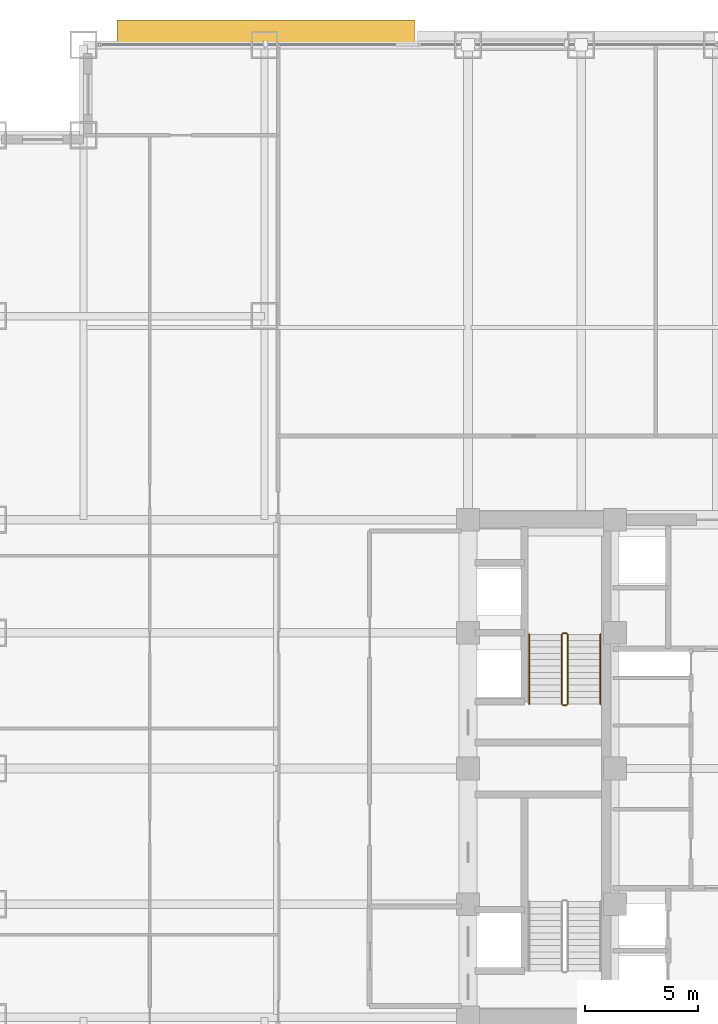
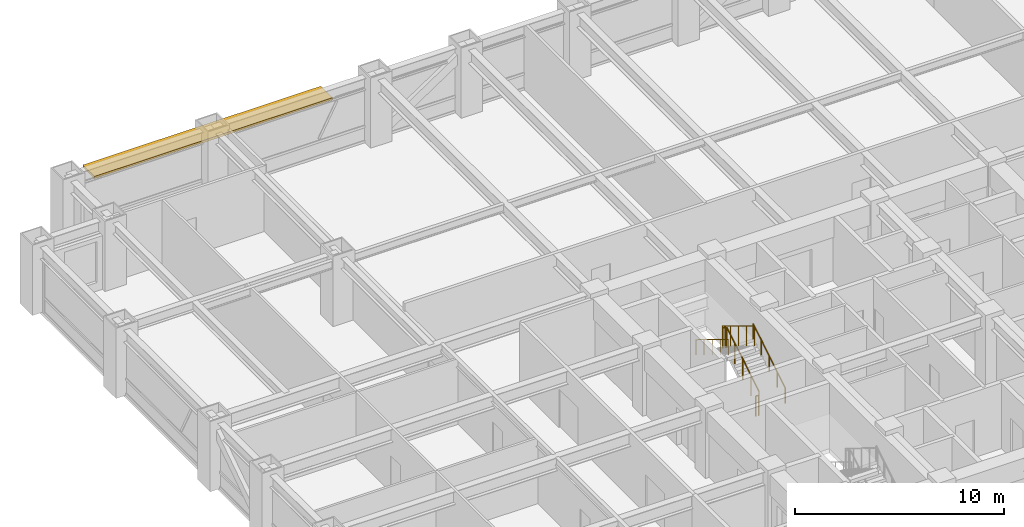
# One storey, part 31 of 32: 6 railings, 1 shading device.
"""IFC4 building model written with IfcOpenShell, lengths in metres."""

from ifc_helpers import new_model, si_unit, direction, frame, origin, origin_2d, place, context, subcontext, project, spatial, rectangle, circle, extrude, source, transform, mapped, material, layer, layer_set, type_object, element, save


model = new_model("IFC4")

# Units and contexts
model_context = context("Model", 3, precision=1e-05, world=origin(), true_north=direction((0.0, 1.0)))
body_context = subcontext(model_context, "Body", "Model", "MODEL_VIEW")
ifc_project = project(units=[si_unit("LENGTHUNIT", "METRE"), si_unit("AREAUNIT", "SQUARE_METRE"), si_unit("VOLUMEUNIT", "CUBIC_METRE"), si_unit("PLANEANGLEUNIT", "RADIAN"), si_unit("MASSUNIT", "GRAM", prefix="KILO")], contexts=[model_context])

# Site, building, storey
site_placement = place(None, origin())
site = spatial("IfcSite", under=ifc_project, at=site_placement, CompositionType="ELEMENT")
building_placement = place(site_placement, origin())
building = spatial("IfcBuilding", under=site, at=building_placement, Name="Khorayat Bourse Tower", CompositionType="ELEMENT")
storey_placement = place(building_placement, frame((0.0, 0.0, 128.300048828125)))
storey = spatial("IfcBuildingStorey", under=building, at=storey_placement, Name="L29", CompositionType="ELEMENT", Elevation=128.300048828125)

# Shading device
ifc_material_1 = material(Name="Precast concrete C45/55", Category="concrete")
ifc_layer = layer(ifc_material_1, 0.139892578125)
ifc_layer_set = layer_set([ifc_layer], Name="Precast concrete C45/55")
shading_device_type = type_object("IfcShadingDeviceType", Name="SHD-WAVE-TRAY-B", PredefinedType="USERDEFINED", material=ifc_layer_set)
shared_shape_1 = source(origin(), body_context, "Body", "SweptSolid", [
    extrude(rectangle(XDim=13.159912109375, YDim=1.115478515625, at=origin_2d()), origin(), (0.0, 0.0, 1.0), 0.139892578125),
])
shading_device_placement = place(storey_placement, frame((-19.949951171875, 32.53759765625, 3.08984375), z_axis=(0.0, 0.0, 1.0), x_axis=(1.0, 0.0, 0.0)))
element("IfcShadingDevice", 1, at=shading_device_placement, inside=storey, type_object=shading_device_type, Name="L29 Sinusoidal Wave Sunshade Tray N-1", ObjectType="SUNSHADE", PredefinedType="USERDEFINED", context=body_context, shape_type="MappedRepresentation", body=[
    mapped(shared_shape_1, transform((0.0, 0.0, 0.0), scale=1.0)),
])

# Railings
ifc_material_2 = material(Name="Powder-coated steel balustrade", Category="steel")
railing_type_1 = type_object("IfcRailingType", Name="RLG-GUARD-1200", PredefinedType="GUARDRAIL", material=ifc_material_2)
shared_shape_2 = source(origin(), body_context, "Body", "SweptSolid", [
    extrude(circle(Radius=0.02392578125, at=origin_2d()), frame((0.0, 0.0, 1.17578125), z_axis=(-1.0, 0.0, 0.0), x_axis=(0.0, -1.0, 0.0)), (0.0, 0.0, 1.0), 0.150146484375),
    extrude(circle(Radius=0.02099609375, at=origin_2d()), origin(), (0.0, 0.0, 1.0), 1.15185546875),
    extrude(circle(Radius=0.02099609375, at=origin_2d()), frame((-0.150146484375, 0.0, 0.0)), (0.0, 0.0, 1.0), 1.15185546875),
])
for number, where, name in (
    (2, (-6.64990234375, 5.97998046875, 2.050048828125), "L29 ST-2 stair guard 2"),
    (3, (-6.64990234375, 2.800048828125, 0.0), "L29 ST-2 stair guard 4"),
):
    element("IfcRailing", number, at=place(storey_placement, frame(where)), inside=storey, type_object=railing_type_1, Name=name, PredefinedType="GUARDRAIL", context=body_context, shape_type="MappedRepresentation", body=[
        mapped(shared_shape_2, transform((0.0, 0.0, 0.0), scale=1.0)),
    ])
shared_shape_3 = source(origin(), body_context, "Body", "SweptSolid", [
    extrude(circle(Radius=0.02392578125, at=origin_2d()), frame((0.0, 0.0, 1.17578125), z_axis=(0.0, 0.853647949592, 0.520850437417), x_axis=(-1.0, 0.0, 0.0)), (0.0, 0.0, 1.0), 3.60791015625),
    extrude(circle(Radius=0.02099609375, at=origin_2d()), origin(), (0.0, 0.0, 1.0), 1.15185546875),
    extrude(circle(Radius=0.02099609375, at=origin_2d()), frame((0.0, 0.77001953125, 0.4697265625)), (0.0, 0.0, 1.0), 1.15185546875),
    extrude(circle(Radius=0.02099609375, at=origin_2d()), frame((0.0, 1.5400390625, 0.939453125)), (0.0, 0.0, 1.0), 1.15185546875),
    extrude(circle(Radius=0.02099609375, at=origin_2d()), frame((0.0, 2.309814453125, 1.409423828125)), (0.0, 0.0, 1.0), 1.15185546875),
    extrude(circle(Radius=0.02099609375, at=origin_2d()), frame((0.0, 3.079833984375, 1.879150390625)), (0.0, 0.0, 1.0), 1.15185546875),
])
railing_1_placement = place(storey_placement, frame((-6.60009765625, 2.85009765625, 0.1708984375)))
element("IfcRailing", 4, at=railing_1_placement, inside=storey, type_object=railing_type_1, Name="L29 ST-2 stair guard 1", PredefinedType="GUARDRAIL", context=body_context, shape_type="MappedRepresentation", body=[
    mapped(shared_shape_3, transform((0.0, 0.0, 0.0), scale=1.0)),
])
shared_shape_4 = source(origin(), body_context, "Body", "SweptSolid", [
    extrude(circle(Radius=0.02392578125, at=origin_2d()), frame((0.0, 0.0, 1.17578125), z_axis=(0.0, -0.853647949592, 0.520850437417), x_axis=(1.0, 0.0, 0.0)), (0.0, 0.0, 1.0), 3.60791015625),
    extrude(circle(Radius=0.02099609375, at=origin_2d()), origin(), (0.0, 0.0, 1.0), 1.15185546875),
    extrude(circle(Radius=0.02099609375, at=origin_2d()), frame((0.0, -0.77001953125, 0.4697265625)), (0.0, 0.0, 1.0), 1.15185546875),
    extrude(circle(Radius=0.02099609375, at=origin_2d()), frame((0.0, -1.5400390625, 0.939453125)), (0.0, 0.0, 1.0), 1.15185546875),
    extrude(circle(Radius=0.02099609375, at=origin_2d()), frame((0.0, -2.309814453125, 1.409423828125)), (0.0, 0.0, 1.0), 1.15185546875),
    extrude(circle(Radius=0.02099609375, at=origin_2d()), frame((0.0, -3.079833984375, 1.879150390625)), (0.0, 0.0, 1.0), 1.15185546875),
])
railing_2_placement = place(storey_placement, frame((-6.85009765625, 5.929931640625, 2.220703125)))
element("IfcRailing", 5, at=railing_2_placement, inside=storey, type_object=railing_type_1, Name="L29 ST-2 stair guard 3", PredefinedType="GUARDRAIL", context=body_context, shape_type="MappedRepresentation", body=[
    mapped(shared_shape_4, transform((0.0, 0.0, 0.0), scale=1.0)),
])
ifc_material_3 = material(Name="Brushed bronze stainless-steel handrail", Category="steel")
railing_type_2 = type_object("IfcRailingType", Name="RLG-HAND-900", PredefinedType="HANDRAIL", material=ifc_material_3)
shared_shape_5 = source(origin(), body_context, "Body", "SweptSolid", [
    extrude(circle(Radius=0.02392578125, at=origin_2d()), frame((0.0, 0.0, 0.8759765625), z_axis=(0.0, 0.853647949592, 0.520850437417), x_axis=(-1.0, 0.0, 0.0)), (0.0, 0.0, 1.0), 3.60791015625),
    extrude(circle(Radius=0.02099609375, at=origin_2d()), origin(), (0.0, 0.0, 1.0), 0.851806640625),
    extrude(circle(Radius=0.02099609375, at=origin_2d()), frame((0.0, 0.77001953125, 0.4697265625)), (0.0, 0.0, 1.0), 0.851806640625),
    extrude(circle(Radius=0.02099609375, at=origin_2d()), frame((0.0, 1.5400390625, 0.939453125)), (0.0, 0.0, 1.0), 0.851806640625),
    extrude(circle(Radius=0.02099609375, at=origin_2d()), frame((0.0, 2.309814453125, 1.409423828125)), (0.0, 0.0, 1.0), 0.851806640625),
    extrude(circle(Radius=0.02099609375, at=origin_2d()), frame((0.0, 3.079833984375, 1.879150390625)), (0.0, 0.0, 1.0), 0.851806640625),
])
railing_3_placement = place(storey_placement, frame((-5.14990234375, 2.85009765625, 0.1708984375)))
element("IfcRailing", 6, at=railing_3_placement, inside=storey, type_object=railing_type_2, Name="L29 ST-2 stair handrail 1", PredefinedType="HANDRAIL", context=body_context, shape_type="MappedRepresentation", body=[
    mapped(shared_shape_5, transform((0.0, 0.0, 0.0), scale=1.0)),
])
shared_shape_6 = source(origin(), body_context, "Body", "SweptSolid", [
    extrude(circle(Radius=0.02392578125, at=origin_2d()), frame((0.0, 0.0, 0.8759765625), z_axis=(0.0, -0.853647949592, 0.520850437417), x_axis=(1.0, 0.0, 0.0)), (0.0, 0.0, 1.0), 3.60791015625),
    extrude(circle(Radius=0.02099609375, at=origin_2d()), origin(), (0.0, 0.0, 1.0), 0.851806640625),
    extrude(circle(Radius=0.02099609375, at=origin_2d()), frame((0.0, -0.77001953125, 0.4697265625)), (0.0, 0.0, 1.0), 0.851806640625),
    extrude(circle(Radius=0.02099609375, at=origin_2d()), frame((0.0, -1.5400390625, 0.939453125)), (0.0, 0.0, 1.0), 0.851806640625),
    extrude(circle(Radius=0.02099609375, at=origin_2d()), frame((0.0, -2.309814453125, 1.409423828125)), (0.0, 0.0, 1.0), 0.851806640625),
    extrude(circle(Radius=0.02099609375, at=origin_2d()), frame((0.0, -3.079833984375, 1.879150390625)), (0.0, 0.0, 1.0), 0.851806640625),
])
railing_4_placement = place(storey_placement, frame((-8.300048828125, 5.929931640625, 2.220703125)))
element("IfcRailing", 7, at=railing_4_placement, inside=storey, type_object=railing_type_2, Name="L29 ST-2 stair handrail 2", PredefinedType="HANDRAIL", context=body_context, shape_type="MappedRepresentation", body=[
    mapped(shared_shape_6, transform((0.0, 0.0, 0.0), scale=1.0)),
])

save(model, "model.ifc")
